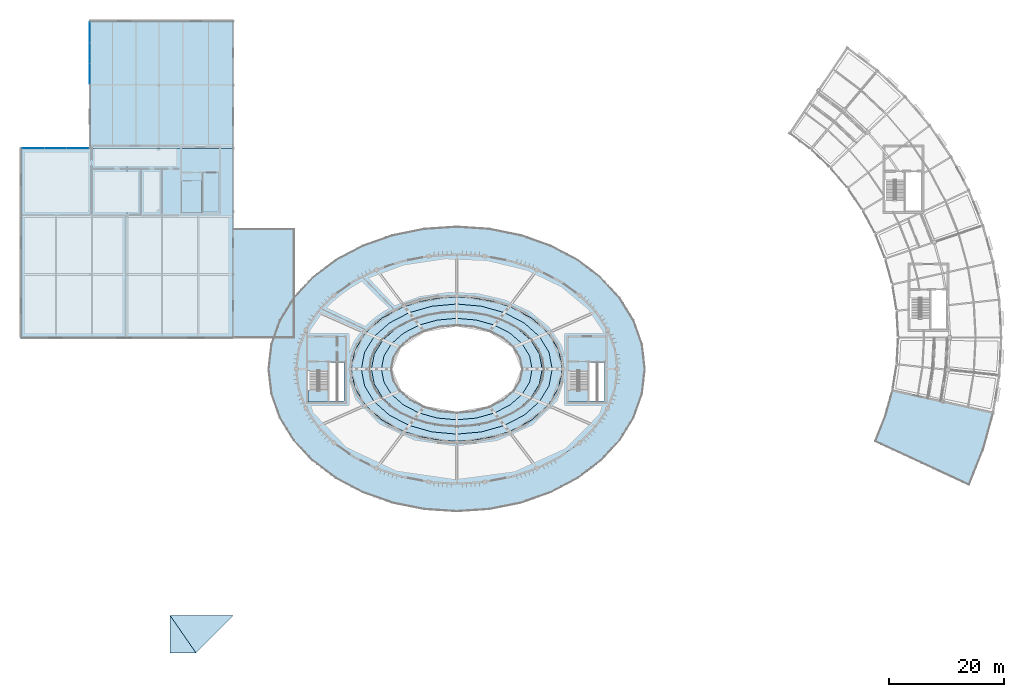
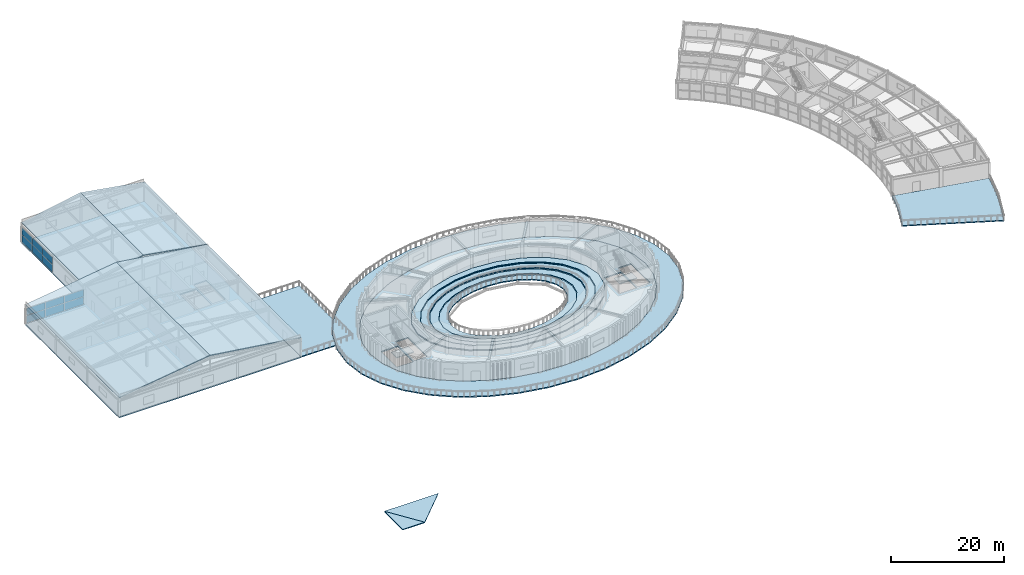
# One storey, part 42 of 63: 17 slabs, 12 plates, 4 elements without a shape of their own.
"""IFC4 building model written with IfcOpenShell, lengths in metres."""

import ifcopenshell
import ifcopenshell.guid

model = None  # the IFC model being written
_history = None  # IfcOwnerHistory: only IFC2X3 demands one
_inside = {}  # id of a spatial element -> (the spatial element, [elements in it])
_under = {}  # id of a project, library or spatial element -> (it, [spatial elements below it])
_declared = {}  # id of a project -> (the project, [libraries it declares])
_typed = {}  # id of a type object -> (the type object, [elements of that type])
_made_of = {}  # id of a material, layer set ... -> (it, [elements and type objects made of it])


def new_model(schema):
    """Start an empty IFC model of exactly this schema.

    Asked for "IFC4X3", IfcOpenShell would pick the latest addendum, in which some entities
    have other attributes; the version numbers below select the first issue.
    IFC2X3 requires an IfcOwnerHistory on every rooted entity: one is made here for all.
    """
    global model, _history
    if schema == "IFC4X3":
        model = ifcopenshell.file(schema_version=(4, 3, 0, 0))
    else:
        model = ifcopenshell.file(schema=schema)
    _inside.clear()
    _under.clear()
    _declared.clear()
    _typed.clear()
    _made_of.clear()
    _history = None
    if model.schema == "IFC2X3":
        org = make("IfcOrganization", Name="unknown")
        user = make(
            "IfcPersonAndOrganization",
            ThePerson=make("IfcPerson", FamilyName="unknown"),
            TheOrganization=org,
        )
        app = make(
            "IfcApplication",
            ApplicationDeveloper=org,
            Version="unknown",
            ApplicationFullName="unknown",
            ApplicationIdentifier="unknown",
        )
        _history = make(
            "IfcOwnerHistory",
            OwningUser=user,
            OwningApplication=app,
            ChangeAction="ADDED",
            CreationDate=0,
        )
    return model


def make(cls, **values):
    """One entity of the class cls with the attributes given. An attribute that is None is left unset."""
    return model.create_entity(
        cls, **{name: value for name, value in values.items() if value is not None}
    )


def rooted(cls, **values):
    """An entity with a GlobalId (a new one), such as an element, a storey or a relation."""
    return make(cls, GlobalId=ifcopenshell.guid.new(), OwnerHistory=_history, **values)


def si_unit(unit_type, name, prefix=None):
    """IfcSIUnit, for example si_unit("LENGTHUNIT", "METRE", prefix="MILLI")."""
    return make("IfcSIUnit", UnitType=unit_type, Prefix=prefix, Name=name)


def assignment(units):
    """IfcUnitAssignment: the units of a project."""
    return None if units is None else make("IfcUnitAssignment", Units=units)


def point(xyz):
    """IfcCartesianPoint."""
    return None if xyz is None else make("IfcCartesianPoint", Coordinates=xyz)


def direction(xyz):
    """IfcDirection."""
    return None if xyz is None else make("IfcDirection", DirectionRatios=xyz)


def frame(location, z_axis=None, x_axis=None):
    """IfcAxis2Placement3D, a coordinate frame: its origin and axes. An axis left out is left unset."""
    return make(
        "IfcAxis2Placement3D",
        Location=point(location),
        Axis=direction(z_axis),
        RefDirection=direction(x_axis),
    )


def frame_2d(location, x_axis=None):
    """IfcAxis2Placement2D, a coordinate frame in the plane: its origin and x axis."""
    return make(
        "IfcAxis2Placement2D", Location=point(location), RefDirection=direction(x_axis)
    )


def origin():
    """The frame at (0, 0, 0) with its axes left unset."""
    return frame((0.0, 0.0, 0.0))


def origin_2d():
    """The frame at (0, 0) in the plane with its x axis left unset."""
    return frame_2d((0.0, 0.0))


def place(relative_to, where):
    """IfcLocalPlacement: puts the frame where relative to a parent placement (None: the world)."""
    return make(
        "IfcLocalPlacement", PlacementRelTo=relative_to, RelativePlacement=where
    )


def context(
    kind, dimensions, precision=None, world=None, true_north=None, identifier=None
):
    """IfcGeometricRepresentationContext, for example the 3D "Model" context."""
    return make(
        "IfcGeometricRepresentationContext",
        ContextIdentifier=identifier,
        ContextType=kind,
        CoordinateSpaceDimension=dimensions,
        Precision=precision,
        WorldCoordinateSystem=world,
        TrueNorth=true_north,
    )


def subcontext(parent, identifier, kind, view, scale=None):
    """IfcGeometricRepresentationSubContext, for example "Body" below "Model"."""
    return make(
        "IfcGeometricRepresentationSubContext",
        ContextIdentifier=identifier,
        ContextType=kind,
        ParentContext=parent,
        TargetScale=scale,
        TargetView=view,
    )


def project(units=None, contexts=None):
    """IfcProject with its units and contexts."""
    return rooted(
        "IfcProject",
        Name="project",
        RepresentationContexts=contexts,
        UnitsInContext=assignment(units),
    )


def spatial(cls, under=None, at=None, **own):
    """A site, building, storey or space (cls), placed at a placement, below another one or the project."""
    s = rooted(cls, ObjectPlacement=at, **own)
    if under is not None:
        _under.setdefault(under.id(), (under, []))[1].append(s)
    return s


def polyline(points):
    """IfcPolyline through the points."""
    return make("IfcPolyline", Points=[point(p) for p in points])


def profile(cls, at=None, kind="AREA", **sizes):
    """A parametric profile (cls). Its sizes go by their IFC names, for example OverallWidth=200.0."""
    return make(cls, ProfileType=kind, Position=at, **sizes)


def rectangle(**sizes):
    """IfcRectangleProfileDef."""
    return profile("IfcRectangleProfileDef", **sizes)


def outline(outer, holes=None, kind="AREA"):
    """IfcArbitraryClosedProfileDef: a profile drawn as a closed curve; with holes, ...WithVoids."""
    if holes is None:
        return make("IfcArbitraryClosedProfileDef", ProfileType=kind, OuterCurve=outer)
    return make(
        "IfcArbitraryProfileDefWithVoids",
        ProfileType=kind,
        OuterCurve=outer,
        InnerCurves=holes,
    )


def extrude(swept, where, along, depth):
    """IfcExtrudedAreaSolid: the profile swept, set in the frame where, extruded along a direction by depth."""
    return make(
        "IfcExtrudedAreaSolid",
        SweptArea=swept,
        Position=where,
        ExtrudedDirection=direction(along),
        Depth=depth,
    )


def shape(context_of_items, identifier, shape_type, items):
    """IfcShapeRepresentation: the items that make up one representation, for example the "Body"."""
    return make(
        "IfcShapeRepresentation",
        ContextOfItems=context_of_items,
        RepresentationIdentifier=identifier,
        RepresentationType=shape_type,
        Items=items,
    )


def material(Name=None, Category=None):
    """IfcMaterial."""
    return make("IfcMaterial", Name=Name, Category=Category)


def layer(
    of_material, thickness, ventilated=None, Name=None, Category=None, Priority=None
):
    """IfcMaterialLayer: one layer of a wall or slab, of a material (None: an air gap)."""
    return make(
        "IfcMaterialLayer",
        Material=of_material,
        LayerThickness=thickness,
        IsVentilated=ventilated,
        Name=Name,
        Category=Category,
        Priority=Priority,
    )


def layer_set(layers, Name=None):
    """IfcMaterialLayerSet."""
    return make("IfcMaterialLayerSet", MaterialLayers=layers, LayerSetName=Name)


def made_of(thing, what):
    """Note that an element or type object is made of a material, layer set ...; save() writes the relation."""
    if what is not None:
        _made_of.setdefault(what.id(), (what, []))[1].append(thing)
    return thing


def type_object(cls, material=None, **own):
    """A type object (cls), such as IfcWallType, which elements share."""
    return made_of(rooted(cls, **own), material)


def element(
    cls,
    number,
    at=None,
    inside=None,
    cuts=None,
    type_object=None,
    material=None,
    context=None,
    identifier="Body",
    shape_type=None,
    held_by="IfcProductDefinitionShape",
    body=None,
    shapes=None,
    **own,
):
    """One element of the class cls, such as IfcWall. Its Tag is "e" and its number.

    at: its placement. inside: the storey or other place that contains it. cuts: it is an
    opening in that element (IfcRelVoidsElement). A single representation is given by context,
    identifier, shape_type and body (its items); several are given by shapes. held_by: the class
    of the entity that holds the representations. save() writes the other relations.
    """
    e = rooted(cls, Tag="e%d" % number, ObjectPlacement=at, **own)
    if body is not None:
        shapes = [shape(context, identifier, shape_type, body)]
    if shapes is not None:
        e.Representation = make(held_by, Representations=shapes)
    if inside is not None:
        _inside.setdefault(inside.id(), (inside, []))[1].append(e)
    if cuts is not None:
        rooted(
            "IfcRelVoidsElement", RelatingBuildingElement=cuts, RelatedOpeningElement=e
        )
    if type_object is not None:
        _typed.setdefault(type_object.id(), (type_object, []))[1].append(e)
    return made_of(e, material)


def aggregate(whole, parts):
    """IfcRelAggregates: a whole, such as a stair, and the parts it consists of."""
    return rooted("IfcRelAggregates", RelatingObject=whole, RelatedObjects=parts)


def save(model, path):
    """Write the relations noted so far, then the file.

    IfcRelAggregates (storeys below a building ...), IfcRelContainedInSpatialStructure (elements
    in a storey), IfcRelDefinesByType, IfcRelAssociatesMaterial and IfcRelDeclares: one each for
    every whole, place, type object, material and project.
    """
    for whole, parts in _under.values():
        aggregate(whole, parts)
    for where, things in _inside.values():
        rooted(
            "IfcRelContainedInSpatialStructure",
            RelatedElements=things,
            RelatingStructure=where,
        )
    for kind, things in _typed.values():
        rooted("IfcRelDefinesByType", RelatedObjects=things, RelatingType=kind)
    for what, things in _made_of.values():
        rooted("IfcRelAssociatesMaterial", RelatedObjects=things, RelatingMaterial=what)
    for by, libraries in _declared.values():
        rooted("IfcRelDeclares", RelatingContext=by, RelatedDefinitions=libraries)
    model.write(path)


model = new_model("IFC4")

# Units and contexts
model_context = context("Model", 3, precision=1e-05, world=origin(), true_north=direction((0.0, 1.0)))
body_context = subcontext(model_context, "Body", "Model", "MODEL_VIEW")
ifc_project = project(units=[si_unit("LENGTHUNIT", "METRE"), si_unit("AREAUNIT", "SQUARE_METRE"), si_unit("VOLUMEUNIT", "CUBIC_METRE"), si_unit("PLANEANGLEUNIT", "RADIAN"), si_unit("MASSUNIT", "GRAM", prefix="KILO")], contexts=[model_context])

# Site, building, storey
site_placement = place(None, origin())
site = spatial("IfcSite", under=ifc_project, at=site_placement, CompositionType="ELEMENT")
building_placement = place(site_placement, origin())
building = spatial("IfcBuilding", under=site, at=building_placement, Name="Tarnveldt Headland Concert Hall", CompositionType="ELEMENT")
storey_placement = place(building_placement, frame((0.0, 0.0, 14.39990234375)))
storey = spatial("IfcBuildingStorey", under=building, at=storey_placement, Name="L03", CompositionType="ELEMENT", Elevation=14.39990234375)

# Curtain wall, plates
ifc_material_1 = material(Name="Marine-anodised aluminium EN AW-6063-T6", Category="aluminium")
curtain_wall_type = type_object("IfcCurtainWallType", Name="CW-R3", PredefinedType="NOTDEFINED", material=ifc_material_1)
curtain_wall_1_placement = place(storey_placement, origin())
curtain_wall_1 = element("IfcCurtainWall", 1, at=curtain_wall_1_placement, inside=storey, type_object=curtain_wall_type, Name="Curtain wall CW-L03-183", PredefinedType="NOTDEFINED")
ifc_material_2 = material(Name="Acoustic laminated low-iron double glazing", Category="glass")
ifc_layer_1 = layer(ifc_material_2, 0.01904296875, Name="Acoustic laminated low-iron double glazing", Category="glass")
ifc_layer_set_1 = layer_set([ifc_layer_1], Name="Acoustic laminated low-iron double glazing")
plate_type = type_object("IfcPlateType", Name="PN-R3", PredefinedType="CURTAIN_PANEL", material=ifc_layer_set_1)
plate_1_placement = place(storey_placement, frame((19.5, 113.206787109375, 0.092529296875), z_axis=(0.0, 0.0, 1.0), x_axis=(0.0, -1.0, 0.0)))
plate_1 = element("IfcPlate", 2, at=plate_1_placement, type_object=plate_type, Name="Glazed panel CW-L03-183-1-1", PredefinedType="CURTAIN_PANEL", context=body_context, shape_type="SweptSolid", body=[
    extrude(rectangle(XDim=3.502685546875, YDim=0.01904296875, at=origin_2d()), origin(), (0.0, 0.0, 1.0), 1.60693359375),
])
plate_2_placement = place(storey_placement, frame((19.5, 113.206787109375, 1.78466796875), z_axis=(0.0, 0.0, 1.0), x_axis=(0.0, -1.0, 0.0)))
plate_2 = element("IfcPlate", 3, at=plate_2_placement, type_object=plate_type, Name="Glazed panel CW-L03-183-1-2", PredefinedType="CURTAIN_PANEL", context=body_context, shape_type="SweptSolid", body=[
    extrude(rectangle(XDim=3.502685546875, YDim=0.01904296875, at=origin_2d()), origin(), (0.0, 0.0, 1.0), 1.472900390625),
])
plate_3_placement = place(storey_placement, frame((19.5, 109.60009765625, 0.092529296875), z_axis=(0.0, 0.0, 1.0), x_axis=(0.0, -1.0, 0.0)))
plate_3 = element("IfcPlate", 4, at=plate_3_placement, type_object=plate_type, Name="Glazed panel CW-L03-183-2-1", PredefinedType="CURTAIN_PANEL", context=body_context, shape_type="SweptSolid", body=[
    extrude(rectangle(XDim=3.502685546875, YDim=0.01904296875, at=origin_2d()), origin(), (0.0, 0.0, 1.0), 1.60693359375),
])
plate_4_placement = place(storey_placement, frame((19.5, 109.60009765625, 1.78466796875), z_axis=(0.0, 0.0, 1.0), x_axis=(0.0, -1.0, 0.0)))
plate_4 = element("IfcPlate", 5, at=plate_4_placement, type_object=plate_type, Name="Glazed panel CW-L03-183-2-2", PredefinedType="CURTAIN_PANEL", context=body_context, shape_type="SweptSolid", body=[
    extrude(rectangle(XDim=3.502685546875, YDim=0.01904296875, at=origin_2d()), origin(), (0.0, 0.0, 1.0), 1.472900390625),
])
plate_5_placement = place(storey_placement, frame((19.5, 105.993408203125, 0.092529296875), z_axis=(0.0, 0.0, 1.0), x_axis=(0.0, -1.0, 0.0)))
plate_5 = element("IfcPlate", 6, at=plate_5_placement, type_object=plate_type, Name="Glazed panel CW-L03-183-3-1", PredefinedType="CURTAIN_PANEL", context=body_context, shape_type="SweptSolid", body=[
    extrude(rectangle(XDim=3.502685546875, YDim=0.01904296875, at=origin_2d()), origin(), (0.0, 0.0, 1.0), 1.60693359375),
])
plate_6_placement = place(storey_placement, frame((19.5, 105.993408203125, 1.78466796875), z_axis=(0.0, 0.0, 1.0), x_axis=(0.0, -1.0, 0.0)))
plate_6 = element("IfcPlate", 7, at=plate_6_placement, type_object=plate_type, Name="Glazed panel CW-L03-183-3-2", PredefinedType="CURTAIN_PANEL", context=body_context, shape_type="SweptSolid", body=[
    extrude(rectangle(XDim=3.502685546875, YDim=0.01904296875, at=origin_2d()), origin(), (0.0, 0.0, 1.0), 1.472900390625),
])
aggregate(curtain_wall_1, [plate_1, plate_2, plate_3, plate_4, plate_5, plate_6])

curtain_wall_2_placement = place(storey_placement, origin())
curtain_wall_2 = element("IfcCurtainWall", 8, at=curtain_wall_2_placement, inside=storey, type_object=curtain_wall_type, Name="Curtain wall CW-L03-184", PredefinedType="NOTDEFINED")
plate_7_placement = place(storey_placement, frame((17.373291015625, 93.0, 0.092529296875), z_axis=(0.0, 0.0, 1.0), x_axis=(-1.0, 0.0, 0.0)))
plate_7 = element("IfcPlate", 9, at=plate_7_placement, type_object=plate_type, Name="Glazed panel CW-L03-184-1-1", PredefinedType="CURTAIN_PANEL", context=body_context, shape_type="SweptSolid", body=[
    extrude(rectangle(XDim=3.769287109375, YDim=0.01904296875, at=origin_2d()), origin(), (0.0, 0.0, 1.0), 1.60693359375),
])
plate_8_placement = place(storey_placement, frame((17.373291015625, 93.0, 1.78466796875), z_axis=(0.0, 0.0, 1.0), x_axis=(-1.0, 0.0, 0.0)))
plate_8 = element("IfcPlate", 10, at=plate_8_placement, type_object=plate_type, Name="Glazed panel CW-L03-184-1-2", PredefinedType="CURTAIN_PANEL", context=body_context, shape_type="SweptSolid", body=[
    extrude(rectangle(XDim=3.769287109375, YDim=0.01904296875, at=origin_2d()), origin(), (0.0, 0.0, 1.0), 1.472900390625),
])
plate_9_placement = place(storey_placement, frame((13.5, 93.0, 0.092529296875), z_axis=(0.0, 0.0, 1.0), x_axis=(-1.0, 0.0, 0.0)))
plate_9 = element("IfcPlate", 11, at=plate_9_placement, type_object=plate_type, Name="Glazed panel CW-L03-184-2-1", PredefinedType="CURTAIN_PANEL", context=body_context, shape_type="SweptSolid", body=[
    extrude(rectangle(XDim=3.769287109375, YDim=0.01904296875, at=origin_2d()), origin(), (0.0, 0.0, 1.0), 1.60693359375),
])
plate_10_placement = place(storey_placement, frame((13.5, 93.0, 1.78466796875), z_axis=(0.0, 0.0, 1.0), x_axis=(-1.0, 0.0, 0.0)))
plate_10 = element("IfcPlate", 12, at=plate_10_placement, type_object=plate_type, Name="Glazed panel CW-L03-184-2-2", PredefinedType="CURTAIN_PANEL", context=body_context, shape_type="SweptSolid", body=[
    extrude(rectangle(XDim=3.769287109375, YDim=0.01904296875, at=origin_2d()), origin(), (0.0, 0.0, 1.0), 1.472900390625),
])
plate_11_placement = place(storey_placement, frame((9.626708984375, 93.0, 0.092529296875), z_axis=(0.0, 0.0, 1.0), x_axis=(-1.0, 0.0, 0.0)))
plate_11 = element("IfcPlate", 13, at=plate_11_placement, type_object=plate_type, Name="Glazed panel CW-L03-184-3-1", PredefinedType="CURTAIN_PANEL", context=body_context, shape_type="SweptSolid", body=[
    extrude(rectangle(XDim=3.769287109375, YDim=0.01904296875, at=origin_2d()), origin(), (0.0, 0.0, 1.0), 1.60693359375),
])
plate_12_placement = place(storey_placement, frame((9.626708984375, 93.0, 1.78466796875), z_axis=(0.0, 0.0, 1.0), x_axis=(-1.0, 0.0, 0.0)))
plate_12 = element("IfcPlate", 14, at=plate_12_placement, type_object=plate_type, Name="Glazed panel CW-L03-184-3-2", PredefinedType="CURTAIN_PANEL", context=body_context, shape_type="SweptSolid", body=[
    extrude(rectangle(XDim=3.769287109375, YDim=0.01904296875, at=origin_2d()), origin(), (0.0, 0.0, 1.0), 1.472900390625),
])
aggregate(curtain_wall_2, [plate_7, plate_8, plate_9, plate_10, plate_11, plate_12])

# Slabs
ifc_material_3 = material(Name="Concrete C40/50", Category="concrete")
ifc_layer_2 = layer(ifc_material_3, 0.25, Name="Concrete C40/50", Category="concrete")
ifc_layer_set_2 = layer_set([ifc_layer_2], Name="Concrete C40/50")
slab_type_1 = type_object("IfcSlabType", Name="SL-FL250", PredefinedType="FLOOR", material=ifc_layer_set_2)
slab_1_placement = place(storey_placement, frame((0.0, 0.0, -0.25)))
element("IfcSlab", 15, at=slab_1_placement, inside=storey, type_object=slab_type_1, Name="Symphony drum floor slab L03", PredefinedType="FLOOR", context=body_context, shape_type="SweptSolid", body=[
    extrude(outline(polyline([(101.498046875, 39.17919921875), (104.94921875, 41.644287109375), (107.748779296875, 44.5), (109.811279296875, 47.65966796875), (111.07470703125, 51.027099609375), (111.5, 54.5), (111.07470703125, 57.972900390625), (109.811279296875, 61.34033203125), (107.748779296875, 64.5), (104.94921875, 67.355712890625), (101.498046875, 69.82080078125), (97.5, 71.820556640625), (93.07666015625, 73.2939453125), (88.362060546875, 74.1962890625), (83.5, 74.5), (78.637939453125, 74.1962890625), (73.92333984375, 73.2939453125), (69.5, 71.820556640625), (65.501953125, 69.82080078125), (62.05078125, 67.355712890625), (59.251220703125, 64.5), (57.188720703125, 61.34033203125), (55.92529296875, 57.972900390625), (55.5, 54.5), (55.92529296875, 51.027099609375), (57.188720703125, 47.65966796875), (59.251220703125, 44.5), (62.05078125, 41.644287109375), (65.501953125, 39.17919921875), (69.5, 37.179443359375), (73.92333984375, 35.7060546875), (78.637939453125, 34.8037109375), (83.5, 34.5), (88.362060546875, 34.8037109375), (93.07666015625, 35.7060546875), (97.5, 37.179443359375), (101.498046875, 39.17919921875)]), holes=[polyline([(93.2705078125, 62.160400390625), (95.143798828125, 60.927978515625), (96.66357421875, 59.5), (97.783203125, 57.920166015625), (98.468994140625, 56.236572265625), (98.699951171875, 54.5), (98.468994140625, 52.763427734375), (97.783203125, 51.079833984375), (96.66357421875, 49.5), (95.143798828125, 48.072021484375), (93.2705078125, 46.839599609375), (91.10009765625, 45.839599609375), (88.69873046875, 45.10302734375), (86.139404296875, 44.65185546875), (83.5, 44.5), (80.860595703125, 44.65185546875), (78.30126953125, 45.10302734375), (75.89990234375, 45.839599609375), (73.7294921875, 46.839599609375), (71.856201171875, 48.072021484375), (70.33642578125, 49.5), (69.216796875, 51.079833984375), (68.531005859375, 52.763427734375), (68.300048828125, 54.5), (68.531005859375, 56.236572265625), (69.216796875, 57.920166015625), (70.33642578125, 59.5), (71.856201171875, 60.927978515625), (73.7294921875, 62.160400390625), (75.89990234375, 63.160400390625), (78.30126953125, 63.89697265625), (80.860595703125, 64.34814453125), (83.5, 64.5), (86.139404296875, 64.34814453125), (88.69873046875, 63.89697265625), (91.10009765625, 63.160400390625), (93.2705078125, 62.160400390625)]), polyline([(60.9599609375, 48.780029296875), (57.580078125, 48.780029296875), (57.580078125, 54.280029296875), (60.9599609375, 54.280029296875), (60.9599609375, 48.780029296875)]), polyline([(61.239990234375, 48.9599609375), (61.239990234375, 55.659912109375), (63.840087890625, 55.659912109375), (63.840087890625, 48.9599609375), (61.239990234375, 48.9599609375)]), polyline([(102.97998046875, 54.280029296875), (106.360107421875, 54.280029296875), (106.360107421875, 48.780029296875), (102.97998046875, 48.780029296875), (102.97998046875, 54.280029296875)]), polyline([(109.239990234375, 55.659912109375), (109.239990234375, 48.9599609375), (106.639892578125, 48.9599609375), (106.639892578125, 55.659912109375), (109.239990234375, 55.659912109375)])]), origin(), (0.0, 0.0, 1.0), 0.25),
])
slab_2_placement = place(storey_placement, frame((0.0, 0.0, -0.25)))
element("IfcSlab", 16, at=slab_2_placement, inside=storey, type_object=slab_type_1, Name="Backstage rehearsal wing floor slab L03", PredefinedType="FLOOR", context=body_context, shape_type="SweptSolid", body=[
    extrude(outline(polyline([(19.5, 115.199951171875), (19.5, 93.0), (7.5, 93.0), (7.5, 60.0), (44.5, 60.0), (44.5, 115.199951171875), (19.5, 115.199951171875)]), holes=[polyline([(35.580078125, 87.280029296875), (38.9599609375, 87.280029296875), (38.9599609375, 81.780029296875), (35.580078125, 81.780029296875), (35.580078125, 87.280029296875)]), polyline([(41.840087890625, 88.659912109375), (41.840087890625, 81.9599609375), (39.239990234375, 81.9599609375), (39.239990234375, 88.659912109375), (41.840087890625, 88.659912109375)])]), origin(), (0.0, 0.0, 1.0), 0.25),
])
ifc_layer_3 = layer(ifc_material_3, 0.155029296875, Name="Concrete C40/50", Category="concrete")
ifc_layer_set_3 = layer_set([ifc_layer_3], Name="Concrete C40/50")
slab_type_2 = type_object("IfcSlabType", Name="SL-RF155", PredefinedType="ROOF", material=ifc_layer_set_3)
slab_3_placement = place(storey_placement, frame((33.5, 5.0, 0.0), z_axis=(0.0, 0.0, 1.0), x_axis=(1.0, 0.0, 0.0)))
element("IfcSlab", 17, at=slab_3_placement, inside=storey, type_object=slab_type_2, Name="Chamber prow roof facet 1", PredefinedType="ROOF", context=body_context, shape_type="SweptSolid", body=[
    extrude(outline(polyline([(0.0, 0.0), (4.5, 0.0), (0.0, 6.5), (0.0, 0.0)])), origin(), (0.0, 0.0, -1.0), 0.155029296875),
])
slab_4_placement = place(storey_placement, frame((38.0, 5.0, 0.0), z_axis=(0.0, 0.0, 1.0), x_axis=(0.707106781187, 0.707106781187, 0.0)))
element("IfcSlab", 18, at=slab_4_placement, inside=storey, type_object=slab_type_2, Name="Chamber prow roof facet 2", PredefinedType="ROOF", context=body_context, shape_type="SweptSolid", body=[
    extrude(outline(polyline([(0.0, 0.0), (9.19238815542512, 0.0), (1.4142135623730954, 7.778174593052023), (0.0, 0.0)])), origin(), (0.0, 0.0, -1.0), 0.155029296875),
])
ifc_layer_4 = layer(ifc_material_3, 0.175048828125, Name="Concrete C40/50", Category="concrete")
ifc_layer_set_4 = layer_set([ifc_layer_4], Name="Concrete C40/50")
slab_type_3 = type_object("IfcSlabType", Name="SL-RF175", PredefinedType="ROOF", material=ifc_layer_set_4)
for number, where, z_axis, x_axis, name in (
    (19, (7.5, 60.0, 4.2001953125), (-0.139165126147, 0.0, 0.990269189496), (0.990269189496, 0.0, 0.139165126147), "Rehearsal pitched roof S west slope"),
    (20, (26.0, 60.0, 6.800048828125), (0.139165126147, 0.0, 0.990269189496), (0.990269189496, 0.0, -0.139165126147), "Rehearsal pitched roof S east slope"),
):
    element("IfcSlab", number, at=place(storey_placement, frame(where, z_axis=z_axis, x_axis=x_axis)), inside=storey, type_object=slab_type_3, Name=name, PredefinedType="ROOF", context=body_context, shape_type="SweptSolid", body=[
        extrude(outline(polyline([(0.0, 0.0), (18.681788948136305, 0.0), (18.681788948136305, 33.00000000000001), (0.0, 33.00000000000001), (0.0, 0.0)])), origin(), (0.0, 0.0, -1.0), 0.175048828125),
    ])
slab_5_placement = place(storey_placement, frame((19.5, 93.0, 4.2001953125), z_axis=(-0.18032399669, 0.0, 0.983607267266), x_axis=(0.983607267266, 0.0, 0.18032399669)))
element("IfcSlab", 21, at=slab_5_placement, inside=storey, type_object=slab_type_3, Name="Rehearsal pitched roof N west slope", PredefinedType="ROOF", context=body_context, shape_type="SweptSolid", body=[
    extrude(outline(polyline([(0.0, 0.0), (12.199991195022815, 0.0), (12.199991195022815, 22.199951171875), (0.0, 22.199951171875), (0.0, 0.0)])), origin(), (0.0, 0.0, -1.0), 0.175048828125),
])
slab_6_placement = place(storey_placement, frame((31.5, 93.0, 6.400146484375), z_axis=(0.166854703444, 0.0, 0.985981494724), x_axis=(0.985981494724, 0.0, -0.166854703444)))
element("IfcSlab", 22, at=slab_6_placement, inside=storey, type_object=slab_type_3, Name="Rehearsal pitched roof N east slope", PredefinedType="ROOF", context=body_context, shape_type="SweptSolid", body=[
    extrude(outline(polyline([(0.0, 0.0), (13.184831631789395, 0.0), (13.184831631789395, 22.199951171875), (0.0, 22.199951171875), (0.0, 0.0)])), origin(), (0.0, 0.0, -1.0), 0.175048828125),
])

# Stair, slab
stair_type = type_object("IfcStairType", Name="ST-CORE420", PredefinedType="HALF_TURN_STAIR", material=ifc_material_3)
stair_1_placement = place(storey_placement, origin())
stair_1 = element("IfcStair", 23, at=stair_1_placement, inside=storey, type_object=stair_type, Name="Exit stair STR-C1-L03", PredefinedType="HALF_TURN_STAIR")
ifc_layer_5 = layer(ifc_material_3, 0.179931640625, Name="Concrete C40/50", Category="concrete")
ifc_layer_set_5 = layer_set([ifc_layer_5], Name="Concrete C40/50")
slab_type_4 = type_object("IfcSlabType", Name="SL-STLND180", PredefinedType="LANDING", material=ifc_layer_set_5)
slab_7_placement = place(storey_placement, frame((0.0, 0.0, 1.920166015625)))
slab_7 = element("IfcSlab", 24, at=slab_7_placement, type_object=slab_type_4, Name="Stair half-landing STR-C1-L03", PredefinedType="LANDING", context=body_context, shape_type="SweptSolid", body=[
    extrude(outline(polyline([(57.52001953125, 48.719970703125), (61.080078125, 48.719970703125), (61.080078125, 50.719970703125), (57.52001953125, 50.719970703125), (57.52001953125, 48.719970703125)])), origin(), (0.0, 0.0, 1.0), 0.179931640625),
])
aggregate(stair_1, [slab_7])

stair_2_placement = place(storey_placement, origin())
stair_2 = element("IfcStair", 25, at=stair_2_placement, inside=storey, type_object=stair_type, Name="Exit stair STR-C2-L03", PredefinedType="HALF_TURN_STAIR")
slab_8_placement = place(storey_placement, frame((0.0, 0.0, 1.920166015625)))
slab_8 = element("IfcSlab", 26, at=slab_8_placement, type_object=slab_type_4, Name="Stair half-landing STR-C2-L03", PredefinedType="LANDING", context=body_context, shape_type="SweptSolid", body=[
    extrude(outline(polyline([(102.919921875, 48.719970703125), (106.47998046875, 48.719970703125), (106.47998046875, 50.719970703125), (102.919921875, 50.719970703125), (102.919921875, 48.719970703125)])), origin(), (0.0, 0.0, 1.0), 0.179931640625),
])
aggregate(stair_2, [slab_8])

# Slabs
ifc_layer_6 = layer(ifc_material_3, 0.2099609375, Name="Concrete C40/50", Category="concrete")
ifc_layer_set_6 = layer_set([ifc_layer_6], Name="Concrete C40/50")
slab_type_5 = type_object("IfcSlabType", Name="SL-TR210", PredefinedType="ROOF", material=ifc_layer_set_6)
slab_9_placement = place(storey_placement, frame((0.0, 0.0, -0.2099609375)))
element("IfcSlab", 27, at=slab_9_placement, inside=storey, type_object=slab_type_5, Name="Crescent stepped coastal roof terrace L03", PredefinedType="ROOF", context=body_context, shape_type="SweptSolid", body=[
    extrude(outline(polyline([(172.834716796875, 34.327392578125), (174.146484375, 37.368408203125), (175.291259765625, 40.476318359375), (176.265625, 43.6416015625), (177.06689453125, 46.85498046875), (159.48974609375, 50.73388671875), (158.9248046875, 48.468505859375), (158.238037109375, 46.2373046875), (157.43115234375, 44.046630859375), (156.50634765625, 41.903076171875), (172.834716796875, 34.327392578125)])), origin(), (0.0, 0.0, 1.0), 0.2099609375),
])
slab_10_placement = place(storey_placement, frame((0.0, 0.0, -0.2099609375)))
element("IfcSlab", 28, at=slab_10_placement, inside=storey, type_object=slab_type_5, Name="Musicians garden terrace slab L03", PredefinedType="ROOF", context=body_context, shape_type="SweptSolid", body=[
    extrude(outline(polyline([(44.5, 60.0), (51.621337890625, 60.0), (52.677978515625, 62.982177734375), (55.094482421875, 66.89990234375), (55.199951171875, 67.013916015625), (55.199951171875, 79.0), (44.5, 79.0), (44.5, 60.0)])), origin(), (0.0, 0.0, 1.0), 0.2099609375),
])
ifc_layer_7 = layer(ifc_material_3, 0.22998046875, Name="Concrete C40/50", Category="concrete")
ifc_layer_set_7 = layer_set([ifc_layer_7], Name="Concrete C40/50")
slab_type_6 = type_object("IfcSlabType", Name="SL-TR230", PredefinedType="ROOF", material=ifc_layer_set_7)
slab_11_placement = place(storey_placement, frame((0.0, 0.0, -0.22998046875)))
element("IfcSlab", 29, at=slab_11_placement, inside=storey, type_object=slab_type_6, Name="Drum lookout roof terrace slab L03", PredefinedType="ROOF", context=body_context, shape_type="SweptSolid", body=[
    extrude(outline(polyline([(115.8017578125, 50.193603515625), (116.300048828125, 54.5), (115.8017578125, 58.806396484375), (114.322021484375, 62.982177734375), (111.905517578125, 66.89990234375), (108.626220703125, 70.441162109375), (104.58349609375, 73.497802734375), (99.89990234375, 75.977294921875), (94.71826171875, 77.804443359375), (89.19580078125, 78.923095703125), (83.5, 79.300048828125), (77.80419921875, 78.923095703125), (72.28173828125, 77.804443359375), (67.10009765625, 75.977294921875), (62.41650390625, 73.497802734375), (58.373779296875, 70.441162109375), (55.094482421875, 66.89990234375), (52.677978515625, 62.982177734375), (51.1982421875, 58.806396484375), (50.699951171875, 54.5), (51.1982421875, 50.193603515625), (52.677978515625, 46.017822265625), (55.094482421875, 42.10009765625), (58.373779296875, 38.558837890625), (62.41650390625, 35.502197265625), (67.10009765625, 33.022705078125), (72.28173828125, 31.195556640625), (77.80419921875, 30.076904296875), (83.5, 29.699951171875), (89.19580078125, 30.076904296875), (94.71826171875, 31.195556640625), (99.89990234375, 33.022705078125), (104.58349609375, 35.502197265625), (108.626220703125, 38.558837890625), (111.905517578125, 42.10009765625), (114.322021484375, 46.017822265625), (115.8017578125, 50.193603515625)]), holes=[polyline([(111.07470703125, 57.972900390625), (111.5, 54.5), (111.07470703125, 51.027099609375), (109.811279296875, 47.65966796875), (107.748779296875, 44.5), (104.94921875, 41.644287109375), (101.498046875, 39.17919921875), (97.5, 37.179443359375), (93.07666015625, 35.7060546875), (88.362060546875, 34.8037109375), (83.5, 34.5), (78.637939453125, 34.8037109375), (73.92333984375, 35.7060546875), (69.5, 37.179443359375), (65.501953125, 39.17919921875), (62.05078125, 41.644287109375), (59.251220703125, 44.5), (57.188720703125, 47.65966796875), (55.92529296875, 51.027099609375), (55.5, 54.5), (55.92529296875, 57.972900390625), (57.188720703125, 61.34033203125), (59.251220703125, 64.5), (62.05078125, 67.355712890625), (65.501953125, 69.82080078125), (69.5, 71.820556640625), (73.92333984375, 73.2939453125), (78.637939453125, 74.1962890625), (83.5, 74.5), (88.362060546875, 74.1962890625), (93.07666015625, 73.2939453125), (97.5, 71.820556640625), (101.498046875, 69.82080078125), (104.94921875, 67.355712890625), (107.748779296875, 64.5), (109.811279296875, 61.34033203125), (111.07470703125, 57.972900390625)])]), origin(), (0.0, 0.0, 1.0), 0.22998046875),
])
ifc_layer_8 = layer(ifc_material_3, 0.215087890625, Name="Concrete C40/50", Category="concrete")
ifc_layer_set_8 = layer_set([ifc_layer_8], Name="Concrete C40/50")
slab_type_7 = type_object("IfcSlabType", Name="ST-TIER215", PredefinedType="USERDEFINED", material=ifc_layer_set_8)
slab_12_placement = place(storey_placement, frame((0.0, 0.0, 0.065185546875)))
element("IfcSlab", 30, at=slab_12_placement, inside=storey, type_object=slab_type_7, Name="Stand L03 vineyard seating tier 1 vomitory", ObjectType="SEATING TIER", PredefinedType="USERDEFINED", context=body_context, shape_type="SweptSolid", body=[
    extrude(outline(polyline([(96.64990234375, 54.5), (96.201904296875, 56.79052734375), (94.88818359375, 58.925048828125), (92.798583984375, 60.7578125), (90.074951171875, 62.164306640625), (86.903564453125, 63.04833984375), (83.5, 63.35009765625), (80.096435546875, 63.04833984375), (76.925048828125, 62.164306640625), (74.201416015625, 60.7578125), (72.11181640625, 58.925048828125), (70.798095703125, 56.79052734375), (70.35009765625, 54.5), (70.798095703125, 52.20947265625), (72.11181640625, 50.074951171875), (74.201416015625, 48.2421875), (76.925048828125, 46.835693359375), (80.096435546875, 45.95166015625), (83.5, 45.64990234375), (86.903564453125, 45.95166015625), (90.074951171875, 46.835693359375), (92.798583984375, 48.2421875), (94.88818359375, 50.074951171875), (96.201904296875, 52.20947265625), (96.64990234375, 54.5)]), holes=[polyline([(94.51171875, 52.532958984375), (93.372802734375, 50.699951171875), (91.56103515625, 49.1259765625), (89.199951171875, 47.918212890625), (86.450439453125, 47.158935546875), (83.5, 46.89990234375), (80.549560546875, 47.158935546875), (77.800048828125, 47.918212890625), (75.43896484375, 49.1259765625), (73.627197265625, 50.699951171875), (72.48828125, 52.532958984375), (72.10009765625, 54.5), (72.48828125, 56.467041015625), (73.627197265625, 58.300048828125), (75.43896484375, 59.8740234375), (77.800048828125, 61.081787109375), (80.549560546875, 61.841064453125), (83.5, 62.10009765625), (86.450439453125, 61.841064453125), (89.199951171875, 61.081787109375), (91.56103515625, 59.8740234375), (93.372802734375, 58.300048828125), (94.51171875, 56.467041015625), (94.89990234375, 54.5), (94.51171875, 52.532958984375)])]), origin(), (0.0, 0.0, 1.0), 0.21484375),
])
slab_13_placement = place(storey_placement, frame((0.0, 0.0, 0.34521484375)))
element("IfcSlab", 31, at=slab_13_placement, inside=storey, type_object=slab_type_7, Name="Stand L03 vineyard seating tier 2 vomitory", ObjectType="SEATING TIER", PredefinedType="USERDEFINED", context=body_context, shape_type="SweptSolid", body=[
    extrude(outline(polyline([(98.39990234375, 54.5), (97.892333984375, 57.114013671875), (96.40380859375, 59.550048828125), (94.035888671875, 61.641845703125), (90.949951171875, 63.246826171875), (87.3564453125, 64.255859375), (83.5, 64.60009765625), (79.6435546875, 64.255859375), (76.050048828125, 63.246826171875), (72.964111328125, 61.641845703125), (70.59619140625, 59.550048828125), (69.107666015625, 57.114013671875), (68.60009765625, 54.5), (69.107666015625, 51.885986328125), (70.59619140625, 49.449951171875), (72.964111328125, 47.358154296875), (76.050048828125, 45.753173828125), (79.6435546875, 44.744140625), (83.5, 44.39990234375), (87.3564453125, 44.744140625), (90.949951171875, 45.753173828125), (94.035888671875, 47.358154296875), (96.40380859375, 49.449951171875), (97.892333984375, 51.885986328125), (98.39990234375, 54.5)]), holes=[polyline([(96.201904296875, 52.20947265625), (94.88818359375, 50.074951171875), (92.798583984375, 48.2421875), (90.074951171875, 46.835693359375), (86.903564453125, 45.95166015625), (83.5, 45.64990234375), (80.096435546875, 45.95166015625), (76.925048828125, 46.835693359375), (74.201416015625, 48.2421875), (72.11181640625, 50.074951171875), (70.798095703125, 52.20947265625), (70.35009765625, 54.5), (70.798095703125, 56.79052734375), (72.11181640625, 58.925048828125), (74.201416015625, 60.7578125), (76.925048828125, 62.164306640625), (80.096435546875, 63.04833984375), (83.5, 63.35009765625), (86.903564453125, 63.04833984375), (90.074951171875, 62.164306640625), (92.798583984375, 60.7578125), (94.88818359375, 58.925048828125), (96.201904296875, 56.79052734375), (96.64990234375, 54.5), (96.201904296875, 52.20947265625)])]), origin(), (0.0, 0.0, 1.0), 0.21484375),
])
slab_14_placement = place(storey_placement, frame((0.0, 0.0, 0.625)))
element("IfcSlab", 32, at=slab_14_placement, inside=storey, type_object=slab_type_7, Name="Stand L03 vineyard seating tier 3 vomitory", ObjectType="SEATING TIER", PredefinedType="USERDEFINED", context=body_context, shape_type="SweptSolid", body=[
    extrude(outline(polyline([(100.14990234375, 54.5), (99.582763671875, 57.4375), (97.919189453125, 60.175048828125), (95.273193359375, 62.525634765625), (91.824951171875, 64.329345703125), (87.809326171875, 65.46337890625), (83.5, 65.85009765625), (79.190673828125, 65.46337890625), (75.175048828125, 64.329345703125), (71.726806640625, 62.525634765625), (69.080810546875, 60.175048828125), (67.417236328125, 57.4375), (66.85009765625, 54.5), (67.417236328125, 51.5625), (69.080810546875, 48.824951171875), (71.726806640625, 46.474365234375), (75.175048828125, 44.670654296875), (79.190673828125, 43.53662109375), (83.5, 43.14990234375), (87.809326171875, 43.53662109375), (91.824951171875, 44.670654296875), (95.273193359375, 46.474365234375), (97.919189453125, 48.824951171875), (99.582763671875, 51.5625), (100.14990234375, 54.5)]), holes=[polyline([(97.892333984375, 51.885986328125), (96.40380859375, 49.449951171875), (94.035888671875, 47.358154296875), (90.949951171875, 45.753173828125), (87.3564453125, 44.744140625), (83.5, 44.39990234375), (79.6435546875, 44.744140625), (76.050048828125, 45.753173828125), (72.964111328125, 47.358154296875), (70.59619140625, 49.449951171875), (69.107666015625, 51.885986328125), (68.60009765625, 54.5), (69.107666015625, 57.114013671875), (70.59619140625, 59.550048828125), (72.964111328125, 61.641845703125), (76.050048828125, 63.246826171875), (79.6435546875, 64.255859375), (83.5, 64.60009765625), (87.3564453125, 64.255859375), (90.949951171875, 63.246826171875), (94.035888671875, 61.641845703125), (96.40380859375, 59.550048828125), (97.892333984375, 57.114013671875), (98.39990234375, 54.5), (97.892333984375, 51.885986328125)])]), origin(), (0.0, 0.0, 1.0), 0.215087890625),
])
slab_15_placement = place(storey_placement, frame((0.0, 0.0, 0.905029296875)))
element("IfcSlab", 33, at=slab_15_placement, inside=storey, type_object=slab_type_7, Name="Stand L03 vineyard seating tier 4 vomitory", ObjectType="SEATING TIER", PredefinedType="USERDEFINED", context=body_context, shape_type="SweptSolid", body=[
    extrude(outline(polyline([(101.89990234375, 54.5), (101.27294921875, 57.760986328125), (99.434814453125, 60.800048828125), (96.5107421875, 63.409423828125), (92.699951171875, 65.411865234375), (88.26220703125, 66.670654296875), (83.5, 67.10009765625), (78.73779296875, 66.670654296875), (74.300048828125, 65.411865234375), (70.4892578125, 63.409423828125), (67.565185546875, 60.800048828125), (65.72705078125, 57.760986328125), (65.10009765625, 54.5), (65.72705078125, 51.239013671875), (67.565185546875, 48.199951171875), (70.4892578125, 45.590576171875), (74.300048828125, 43.588134765625), (78.73779296875, 42.329345703125), (83.5, 41.89990234375), (88.26220703125, 42.329345703125), (92.699951171875, 43.588134765625), (96.5107421875, 45.590576171875), (99.434814453125, 48.199951171875), (101.27294921875, 51.239013671875), (101.89990234375, 54.5)]), holes=[polyline([(99.582763671875, 51.5625), (97.919189453125, 48.824951171875), (95.273193359375, 46.474365234375), (91.824951171875, 44.670654296875), (87.809326171875, 43.53662109375), (83.5, 43.14990234375), (79.190673828125, 43.53662109375), (75.175048828125, 44.670654296875), (71.726806640625, 46.474365234375), (69.080810546875, 48.824951171875), (67.417236328125, 51.5625), (66.85009765625, 54.5), (67.417236328125, 57.4375), (69.080810546875, 60.175048828125), (71.726806640625, 62.525634765625), (75.175048828125, 64.329345703125), (79.190673828125, 65.46337890625), (83.5, 65.85009765625), (87.809326171875, 65.46337890625), (91.824951171875, 64.329345703125), (95.273193359375, 62.525634765625), (97.919189453125, 60.175048828125), (99.582763671875, 57.4375), (100.14990234375, 54.5), (99.582763671875, 51.5625)])]), origin(), (0.0, 0.0, 1.0), 0.215087890625),
])

save(model, "model.ifc")
